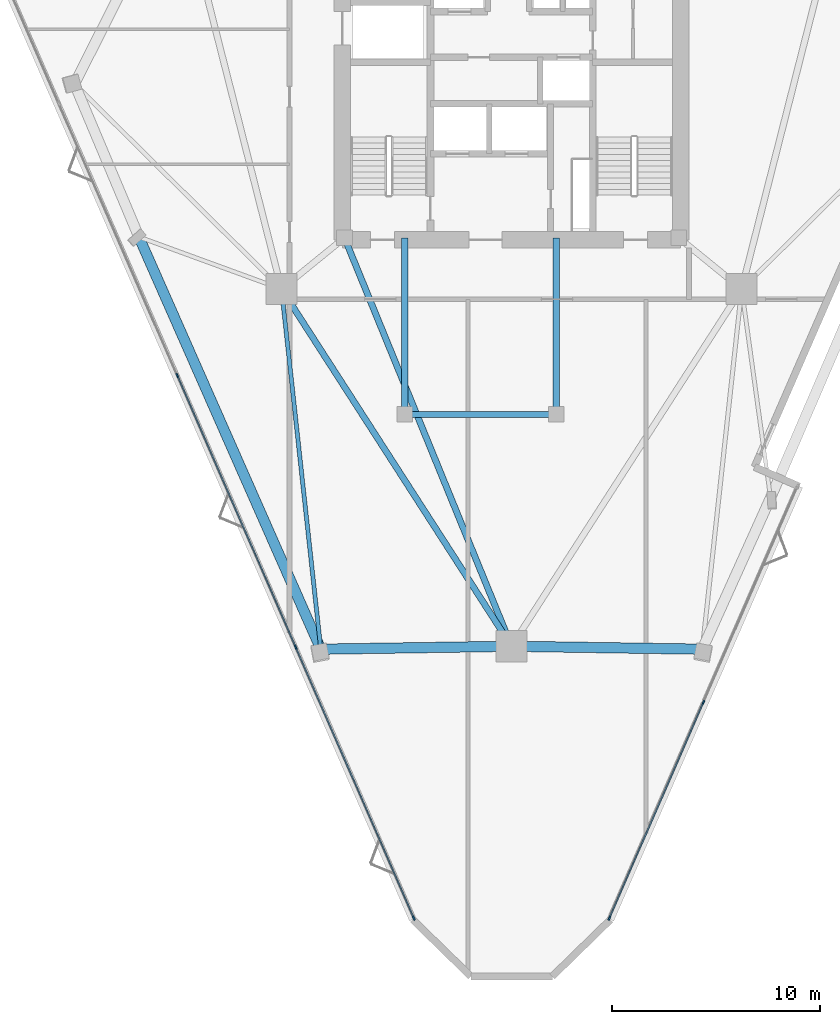
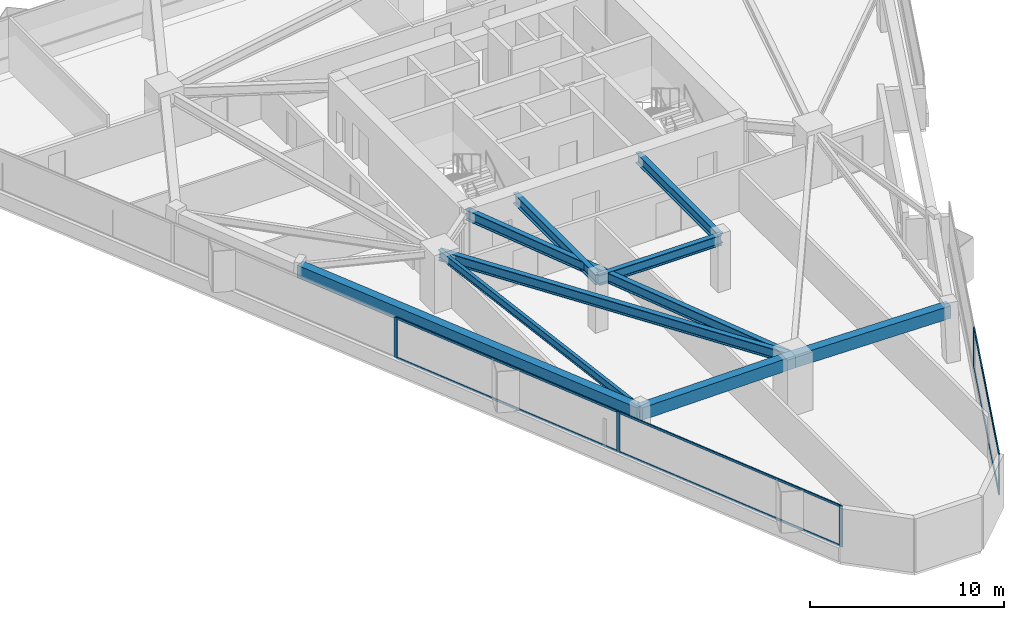
# One storey, part 2 of 12: 11 members, 9 beams, 2 elements without a shape of their own.
"""IFC4 building model written with IfcOpenShell, lengths in metres."""

from ifc_helpers import new_model, si_unit, direction, frame, origin, origin_2d, place, context, subcontext, project, spatial, rectangle, i_section, extrude, material, layer, layer_set, material_profile, profile_set, type_object, element, aggregate, save


model = new_model("IFC4")

# Units and contexts
model_context = context("Model", 3, precision=1e-05, world=origin(), true_north=direction((0.0, 1.0)))
body_context = subcontext(model_context, "Body", "Model", "MODEL_VIEW")
ifc_project = project(units=[si_unit("LENGTHUNIT", "METRE"), si_unit("AREAUNIT", "SQUARE_METRE"), si_unit("VOLUMEUNIT", "CUBIC_METRE"), si_unit("PLANEANGLEUNIT", "RADIAN"), si_unit("MASSUNIT", "GRAM", prefix="KILO")], contexts=[model_context])

# Site, building, storey
site_placement = place(None, origin())
site = spatial("IfcSite", under=ifc_project, at=site_placement, CompositionType="ELEMENT")
building_placement = place(site_placement, origin())
building = spatial("IfcBuilding", under=site, at=building_placement, Name="Talyreon Biosciences Tower", CompositionType="ELEMENT")
storey_placement = place(building_placement, frame((0.0, 0.0, 156.39990234375)))
storey = spatial("IfcBuildingStorey", under=building, at=storey_placement, Name="L41", CompositionType="ELEMENT", Elevation=156.39990234375)

# Curtain wall, members
ifc_material_1 = material(Name="Thermally broken aluminium and low-E glazing", Category="aluminium")
ifc_layer = layer(ifc_material_1, 0.205078125)
ifc_layer_set = layer_set([ifc_layer], Name="Thermally broken aluminium and low-E glazing")
curtain_wall_type = type_object("IfcCurtainWallType", Name="CurtainWall_SkyGardenLoggia", PredefinedType="NOTDEFINED", material=ifc_layer_set)
curtain_wall_1_placement = place(storey_placement, origin())
curtain_wall_1 = element("IfcCurtainWall", 1, at=curtain_wall_1_placement, inside=storey, type_object=curtain_wall_type, Name="L41 Unitised Curtain Wall FCW-L41-11", PredefinedType="NOTDEFINED")
ifc_material_2 = material(Name="Anodised thermally broken aluminium", Category="aluminium")
ifc_material_profile_1 = material_profile(ifc_material_2, rectangle(XDim=0.074951171875, YDim=0.2099609375, at=origin_2d()), Name="ALUM MULLION 75x210")
ifc_profile_set_1 = profile_set([ifc_material_profile_1], Name="Anodised thermally broken aluminium")
member_type_1 = type_object("IfcMemberType", Name="CWMullion_75x210", PredefinedType="MULLION", material=ifc_profile_set_1)
member_1_placement = place(storey_placement, frame((75.241943359375, 38.96337890625, 0.81005859375), z_axis=(0.0, 0.0, 1.0), x_axis=(0.916731848656, -0.399503088423, 0.0)))
member_1 = element("IfcMember", 2, at=member_1_placement, type_object=member_type_1, Name="CW7 mullion 2", PredefinedType="MULLION", context=body_context, shape_type="SweptSolid", body=[
    extrude(rectangle(XDim=0.074951171875, YDim=0.2099609375, at=origin_2d()), origin(), (0.0, 0.0, 1.0), 2.56494140625),
])
member_2_placement = place(storey_placement, frame((70.708740234375, 28.561279296875, 0.81005859375), z_axis=(0.0, 0.0, 1.0), x_axis=(0.916731848656, -0.399503088423, 0.0)))
member_2 = element("IfcMember", 3, at=member_2_placement, type_object=member_type_1, Name="CW7 mullion 3", PredefinedType="MULLION", context=body_context, shape_type="SweptSolid", body=[
    extrude(rectangle(XDim=0.074951171875, YDim=0.2099609375, at=origin_2d()), origin(), (0.0, 0.0, 1.0), 2.56494140625),
])

curtain_wall_2_placement = place(storey_placement, origin())
curtain_wall_2 = element("IfcCurtainWall", 4, at=curtain_wall_2_placement, inside=storey, type_object=curtain_wall_type, Name="L41 Unitised Curtain Wall FCW-L41-15", PredefinedType="NOTDEFINED")
member_3_placement = place(storey_placement, frame((61.291259765625, 28.561279296875, 0.81005859375), z_axis=(0.0, 0.0, 1.0), x_axis=(-0.916731187474, -0.399504605621, 0.0)))
member_3 = element("IfcMember", 5, at=member_3_placement, type_object=member_type_1, Name="CW7 mullion 1", PredefinedType="MULLION", context=body_context, shape_type="SweptSolid", body=[
    extrude(rectangle(XDim=0.074951171875, YDim=0.2099609375, at=origin_2d()), origin(), (0.0, 0.0, 1.0), 2.56494140625),
])
member_4_placement = place(storey_placement, frame((55.599609375, 41.6220703125, 0.81005859375), z_axis=(0.0, 0.0, 1.0), x_axis=(-0.916731187474, -0.399504605621, 0.0)))
member_4 = element("IfcMember", 6, at=member_4_placement, type_object=member_type_1, Name="CW7 mullion 2", PredefinedType="MULLION", context=body_context, shape_type="SweptSolid", body=[
    extrude(rectangle(XDim=0.074951171875, YDim=0.2099609375, at=origin_2d()), origin(), (0.0, 0.0, 1.0), 2.56494140625),
])
member_5_placement = place(storey_placement, frame((49.892822265625, 54.717041015625, 0.81005859375), z_axis=(0.0, 0.0, 1.0), x_axis=(-0.916731187474, -0.399504605621, 0.0)))
member_5 = element("IfcMember", 7, at=member_5_placement, type_object=member_type_1, Name="CW7 mullion 3", PredefinedType="MULLION", context=body_context, shape_type="SweptSolid", body=[
    extrude(rectangle(XDim=0.074951171875, YDim=0.2099609375, at=origin_2d()), origin(), (0.0, 0.0, 1.0), 2.56494140625),
])

# Member
ifc_material_profile_2 = material_profile(ifc_material_2, rectangle(XDim=0.06494140625, YDim=0.139892578125, at=origin_2d()), Name="ALUM TRANSOM 65x140")
ifc_profile_set_2 = profile_set([ifc_material_profile_2], Name="Anodised thermally broken aluminium")
member_type_2 = type_object("IfcMemberType", Name="CWTransom_65x140", PredefinedType="USERDEFINED", material=ifc_profile_set_2)
member_6_placement = place(storey_placement, frame((75.226806640625, 38.928955078125, 0.842529296875), z_axis=(-0.399506081302, -0.916730544382, 0.0), x_axis=(0.916730544382, -0.399506081302, 0.0)))
member_6 = element("IfcMember", 8, at=member_6_placement, type_object=member_type_2, Name="CW7 transom 2.1", ObjectType="TRANSOM", PredefinedType="USERDEFINED", context=body_context, shape_type="SweptSolid", body=[
    extrude(rectangle(XDim=0.06494140625, YDim=0.139892578125, at=origin_2d()), origin(), (0.0, 0.0, 1.0), 11.27197265625),
])

member_7_placement = place(storey_placement, frame((75.226806640625, 38.928955078125, 3.342529296875), z_axis=(-0.399506081302, -0.916730544382, 0.0), x_axis=(0.916730544382, -0.399506081302, 0.0)))
member_7 = element("IfcMember", 9, at=member_7_placement, type_object=member_type_2, Name="CW7 transom 2.2", ObjectType="TRANSOM", PredefinedType="USERDEFINED", context=body_context, shape_type="SweptSolid", body=[
    extrude(rectangle(XDim=0.06494140625, YDim=0.139892578125, at=origin_2d()), origin(), (0.0, 0.0, 1.0), 11.27197265625),
])

aggregate(curtain_wall_1, [member_1, member_2, member_6, member_7])

member_8_placement = place(storey_placement, frame((61.2763671875, 28.595703125, 0.842529296875), z_axis=(-0.399508954546, 0.916729292233, 0.0), x_axis=(-0.916729292233, -0.399508954546, 0.0)))
member_8 = element("IfcMember", 10, at=member_8_placement, type_object=member_type_2, Name="CW7 transom 1.1", ObjectType="TRANSOM", PredefinedType="USERDEFINED", context=body_context, shape_type="SweptSolid", body=[
    extrude(rectangle(XDim=0.06494140625, YDim=0.139892578125, at=origin_2d()), origin(), (0.0, 0.0, 1.0), 14.172119140625),
])

member_9_placement = place(storey_placement, frame((61.2763671875, 28.595703125, 3.342529296875), z_axis=(-0.399508954546, 0.916729292233, 0.0), x_axis=(-0.916729292233, -0.399508954546, 0.0)))
member_9 = element("IfcMember", 11, at=member_9_placement, type_object=member_type_2, Name="CW7 transom 1.2", ObjectType="TRANSOM", PredefinedType="USERDEFINED", context=body_context, shape_type="SweptSolid", body=[
    extrude(rectangle(XDim=0.06494140625, YDim=0.139892578125, at=origin_2d()), origin(), (0.0, 0.0, 1.0), 14.172119140625),
])

member_10_placement = place(storey_placement, frame((55.58447265625, 41.65625, 0.842529296875), z_axis=(-0.399502492399, 0.916732108397, 0.0), x_axis=(-0.916732108397, -0.399502492399, 0.0)))
member_10 = element("IfcMember", 12, at=member_10_placement, type_object=member_type_2, Name="CW7 transom 2.1", ObjectType="TRANSOM", PredefinedType="USERDEFINED", context=body_context, shape_type="SweptSolid", body=[
    extrude(rectangle(XDim=0.06494140625, YDim=0.139892578125, at=origin_2d()), origin(), (0.0, 0.0, 1.0), 14.20947265625),
])

member_11_placement = place(storey_placement, frame((55.58447265625, 41.65625, 3.342529296875), z_axis=(-0.399502492399, 0.916732108397, 0.0), x_axis=(-0.916732108397, -0.399502492399, 0.0)))
member_11 = element("IfcMember", 13, at=member_11_placement, type_object=member_type_2, Name="CW7 transom 2.2", ObjectType="TRANSOM", PredefinedType="USERDEFINED", context=body_context, shape_type="SweptSolid", body=[
    extrude(rectangle(XDim=0.06494140625, YDim=0.139892578125, at=origin_2d()), origin(), (0.0, 0.0, 1.0), 14.20947265625),
])

aggregate(curtain_wall_2, [member_3, member_4, member_5, member_8, member_9, member_10, member_11])

# Beams
ifc_material_3 = material(Name="Precast concrete C45/55", Category="concrete")
ifc_material_profile_3 = material_profile(ifc_material_3, rectangle(XDim=0.5, YDim=0.780029296875, at=origin_2d()), Name="RCB 500x780")
ifc_profile_set_3 = profile_set([ifc_material_profile_3], Name="Precast concrete C45/55")
beam_type_1 = type_object("IfcBeamType", Name="ExpressedSpandrel_500x780", PredefinedType="SPANDREL", material=ifc_profile_set_3)
beam_1_placement = place(storey_placement, frame((66.0, 41.6669921875, 2.985107421875), z_axis=(0.999881753213, -0.015377892929, 0.0), x_axis=(0.015377892929, 0.999881753213, 0.0)))
element("IfcBeam", 14, at=beam_1_placement, inside=storey, type_object=beam_type_1, Name="L41 Expressed Horizontal Concrete Spandrel 01", PredefinedType="SPANDREL", context=body_context, shape_type="SweptSolid", body=[
    extrude(rectangle(XDim=0.5, YDim=0.780029296875, at=origin_2d()), origin(), (0.0, 0.0, 1.0), 9.192138671875),
])
beam_2_placement = place(storey_placement, frame((48.04296875, 61.39013671875, 2.985107421875), z_axis=(0.403721869711, -0.914881769365, 0.0), x_axis=(0.914881769365, 0.403721869711, 0.0)))
element("IfcBeam", 15, at=beam_2_placement, inside=storey, type_object=beam_type_1, Name="L41 Expressed Horizontal Concrete Spandrel 11", PredefinedType="SPANDREL", context=body_context, shape_type="SweptSolid", body=[
    extrude(rectangle(XDim=0.5, YDim=0.780029296875, at=origin_2d()), origin(), (0.0, 0.0, 1.0), 21.712646484375),
])
beam_3_placement = place(storey_placement, frame((56.808837890625, 41.525634765625, 2.985107421875), z_axis=(0.999881753213, 0.015377892929, 0.0), x_axis=(-0.015377892929, 0.999881753213, 0.0)))
element("IfcBeam", 16, at=beam_3_placement, inside=storey, type_object=beam_type_1, Name="L41 Expressed Horizontal Concrete Spandrel 12", PredefinedType="SPANDREL", context=body_context, shape_type="SweptSolid", body=[
    extrude(rectangle(XDim=0.5, YDim=0.780029296875, at=origin_2d()), origin(), (0.0, 0.0, 1.0), 9.192138671875),
])
ifc_material_4 = material(Name="Steel SM355", Category="steel")
ifc_material_profile_4 = material_profile(ifc_material_4, i_section(OverallWidth=0.300048828125, OverallDepth=0.64990234375, WebThickness=0.01611328125, FlangeThickness=0.031005859375, FilletRadius=0.027099609375, at=origin_2d()), Name="HE650B")
ifc_profile_set_4 = profile_set([ifc_material_profile_4], Name="Steel SM355")
beam_type_2 = type_object("IfcBeamType", Name="SteelBeam_HE650B", PredefinedType="BEAM", material=ifc_profile_set_4)
beam_4_placement = place(storey_placement, frame((54.913818359375, 58.88037109375, 3.050048828125), z_axis=(0.541463723609, -0.840724114092, 0.0), x_axis=(0.840724114092, 0.541463723609, 0.0)))
element("IfcBeam", 17, at=beam_4_placement, inside=storey, type_object=beam_type_2, Name="L41 Mega-Ring Girder 6", PredefinedType="BEAM", context=body_context, shape_type="SweptSolid", body=[
    extrude(i_section(OverallWidth=0.300048828125, OverallDepth=0.64990234375, WebThickness=0.01611328125, FlangeThickness=0.031005859375, FilletRadius=0.027099609375, at=origin_2d()), origin(), (0.0, 0.0, 1.0), 20.474365234375),
])
beam_5_placement = place(storey_placement, frame((57.949951171875, 61.35009765625, 3.050048828125), z_axis=(0.378547014545, -0.925582064314, 0.0), x_axis=(0.925582064314, 0.378547014545, 0.0)))
element("IfcBeam", 18, at=beam_5_placement, inside=storey, type_object=beam_type_2, Name="L41 Radial Primary Girder 1", PredefinedType="BEAM", context=body_context, shape_type="SweptSolid", body=[
    extrude(i_section(OverallWidth=0.300048828125, OverallDepth=0.64990234375, WebThickness=0.01611328125, FlangeThickness=0.031005859375, FilletRadius=0.027099609375, at=origin_2d()), origin(), (0.0, 0.0, 1.0), 21.265625),
])
beam_6_placement = place(storey_placement, frame((60.85009765625, 52.840087890625, 3.050048828125), z_axis=(1.0, 0.0, 0.0), x_axis=(0.0, 1.0, 0.0)))
element("IfcBeam", 19, at=beam_6_placement, inside=storey, type_object=beam_type_2, Name="L41 Crown Shaft Spine Girder S", PredefinedType="BEAM", context=body_context, shape_type="SweptSolid", body=[
    extrude(i_section(OverallWidth=0.300048828125, OverallDepth=0.64990234375, WebThickness=0.01611328125, FlangeThickness=0.031005859375, FilletRadius=0.027099609375, at=origin_2d()), origin(), (0.0, 0.0, 1.0), 7.2998046875),
])
for number, where, z_axis, x_axis, name in (
    (20, (60.85009765625, 52.840087890625, 3.050048828125), (0.0, 1.0, 0.0), (-1.0, 0.0, 0.0), "L41 Crown Shaft Tie Girder W"),
    (21, (68.14990234375, 52.840087890625, 3.050048828125), (0.0, 1.0, 0.0), (-1.0, 0.0, 0.0), "L41 Crown Shaft Tie Girder E"),
):
    element("IfcBeam", number, at=place(storey_placement, frame(where, z_axis=z_axis, x_axis=x_axis)), inside=storey, type_object=beam_type_2, Name=name, PredefinedType="BEAM", context=body_context, shape_type="SweptSolid", body=[
        extrude(i_section(OverallWidth=0.300048828125, OverallDepth=0.64990234375, WebThickness=0.01611328125, FlangeThickness=0.031005859375, FilletRadius=0.027099609375, at=origin_2d()), origin(), (0.0, 0.0, 1.0), 8.510009765625),
    ])
ifc_material_profile_5 = material_profile(ifc_material_4, i_section(OverallWidth=0.199951171875, OverallDepth=0.5, WebThickness=0.01025390625, FlangeThickness=0.01611328125, FilletRadius=0.02099609375, at=origin_2d()), Name="IPE500")
ifc_profile_set_5 = profile_set([ifc_material_profile_5], Name="Steel SM355")
beam_type_3 = type_object("IfcBeamType", Name="SteelJoist_IPE500", PredefinedType="JOIST", material=ifc_profile_set_5)
beam_7_placement = place(storey_placement, frame((54.913818359375, 58.88037109375, 3.125), z_axis=(0.108548019238, -0.994091206842, 0.0), x_axis=(0.994091206842, 0.108548019238, 0.0)))
element("IfcBeam", 22, at=beam_7_placement, inside=storey, type_object=beam_type_3, Name="L41 Radial Composite Floor Joist PC-SW2", PredefinedType="JOIST", context=body_context, shape_type="SweptSolid", body=[
    extrude(i_section(OverallWidth=0.199951171875, OverallDepth=0.5, WebThickness=0.01025390625, FlangeThickness=0.01611328125, FilletRadius=0.02099609375, at=origin_2d()), origin(), (0.0, 0.0, 1.0), 17.4580078125),
])

save(model, "model.ifc")
